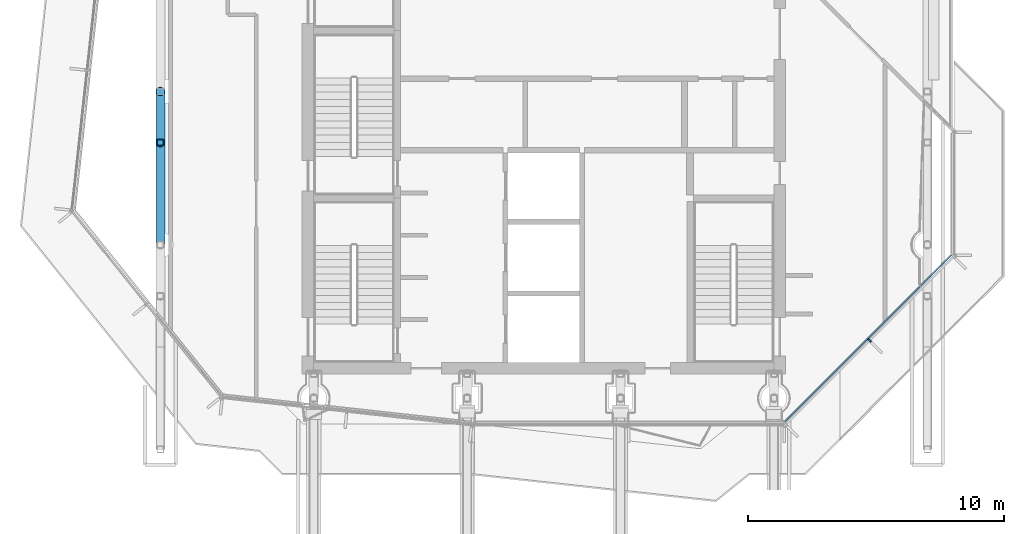
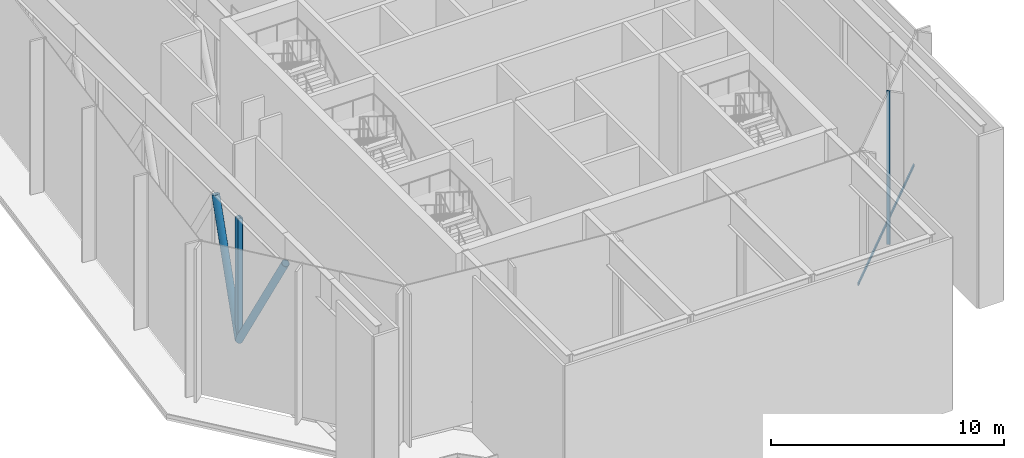
# One storey, part 2 of 21: 5 members, 1 element without a shape of its own.
"""IFC4 building model written with IfcOpenShell, lengths in metres."""

from ifc_helpers import new_model, si_unit, direction, frame, origin, origin_2d, place, context, subcontext, project, spatial, rectangle, hollow_rectangle, hollow_circle, extrude, material, layer, layer_set, material_profile, profile_set, type_object, element, aggregate, save


model = new_model("IFC4")

# Units and contexts
model_context = context("Model", 3, precision=1e-05, world=origin(), true_north=direction((0.0, 1.0)))
body_context = subcontext(model_context, "Body", "Model", "MODEL_VIEW")
ifc_project = project(units=[si_unit("LENGTHUNIT", "METRE"), si_unit("AREAUNIT", "SQUARE_METRE"), si_unit("VOLUMEUNIT", "CUBIC_METRE"), si_unit("PLANEANGLEUNIT", "RADIAN"), si_unit("MASSUNIT", "GRAM", prefix="KILO")], contexts=[model_context])

# Site, building, storey
site_placement = place(None, origin())
site = spatial("IfcSite", under=ifc_project, at=site_placement, CompositionType="ELEMENT")
building_placement = place(site_placement, origin())
building = spatial("IfcBuilding", under=site, at=building_placement, Name="Welwitschia Terrace Campus", CompositionType="ELEMENT")
storey_placement = place(building_placement, frame((0.0, 0.0, 255.800048828125)))
storey = spatial("IfcBuildingStorey", under=building, at=storey_placement, Name="L57", CompositionType="ELEMENT", Elevation=255.800048828125)

# Curtain wall, member
ifc_material_1 = material(Name="Bronze anodised aluminium", Category="aluminium")
ifc_layer = layer(ifc_material_1, 0.159912109375)
ifc_layer_set = layer_set([ifc_layer], Name="Bronze anodised aluminium")
curtain_wall_type = type_object("IfcCurtainWallType", Name="Curtain wall CW3 commons 6000", PredefinedType="NOTDEFINED", material=ifc_layer_set)
curtain_wall_placement = place(storey_placement, origin())
curtain_wall = element("IfcCurtainWall", 1, at=curtain_wall_placement, inside=storey, type_object=curtain_wall_type, Name="CW L57.0.0", PredefinedType="NOTDEFINED")
ifc_material_2 = material(Name="Bronze anodised aluminium", Category="aluminium")
ifc_material_profile_1 = material_profile(ifc_material_2, rectangle(XDim=0.159912109375, YDim=0.06005859375, at=origin_2d()))
ifc_profile_set_1 = profile_set([ifc_material_profile_1], Name="Bronze anodised aluminium")
member_type_1 = type_object("IfcMemberType", Name="Mullion 60x160", PredefinedType="MULLION", material=ifc_profile_set_1)
member_1_placement = place(storey_placement, frame((27.742431640625, 6.257568359375, 0.0), z_axis=(0.0, 0.0, 1.0), x_axis=(-0.707106781187, 0.707106781187, 0.0)))
member_1 = element("IfcMember", 2, at=member_1_placement, type_object=member_type_1, Name="Mullion L57.0.0.1", PredefinedType="MULLION", context=body_context, shape_type="SweptSolid", body=[
    extrude(rectangle(XDim=0.159912109375, YDim=0.06005859375, at=origin_2d()), origin(), (0.0, 0.0, 1.0), 8.050048828125),
])

# Members
ifc_material_3 = material(Name="Steel S355", Category="steel")
ifc_material_profile_2 = material_profile(ifc_material_3, hollow_circle(Radius=0.177734375, WallThickness=0.01611328125, at=origin_2d()))
ifc_profile_set_2 = profile_set([ifc_material_profile_2], Name="Steel S355")
member_type_2 = type_object("IfcMemberType", Name="Transfer truss C4 diagonal CHS 355.6x16", PredefinedType="BRACE", material=ifc_profile_set_2)
member_2_placement = place(storey_placement, frame((0.0, 14.0, 0.0), z_axis=(0.0, -0.527037721004, 0.849841891553), x_axis=(1.0, 0.0, 0.0)))
element("IfcMember", 3, at=member_2_placement, inside=storey, type_object=member_type_2, Name="Truss diagonal", PredefinedType="BRACE", context=body_context, shape_type="SweptSolid", body=[
    extrude(hollow_circle(Radius=0.177734375, WallThickness=0.01611328125, at=origin_2d()), origin(), (0.0, 0.0, 1.0), 7.589599609375),
])
member_3_placement = place(storey_placement, frame((0.0, 14.0, 0.0), z_axis=(0.0, 0.296168365803, 0.955135749042), x_axis=(-1.0, 0.0, 0.0)))
element("IfcMember", 4, at=member_3_placement, inside=storey, type_object=member_type_2, Name="Truss diagonal", PredefinedType="BRACE", context=body_context, shape_type="SweptSolid", body=[
    extrude(hollow_circle(Radius=0.177734375, WallThickness=0.01611328125, at=origin_2d()), origin(), (0.0, 0.0, 1.0), 6.7529296875),
])
ifc_material_4 = material(Name="Steel S355", Category="steel")
ifc_material_profile_3 = material_profile(ifc_material_4, hollow_rectangle(XDim=0.25, YDim=0.25, WallThickness=0.013916015625, InnerFilletRadius=0.013916015625, OuterFilletRadius=0.02099609375, at=origin_2d()))
ifc_profile_set_3 = profile_set([ifc_material_profile_3], Name="Steel S355")
member_type_3 = type_object("IfcMemberType", Name="Transfer truss C4 post SHS 250x250x14", PredefinedType="POST", material=ifc_profile_set_3)
member_4_placement = place(storey_placement, frame((0.0, 14.0, 0.0), z_axis=(0.0, 0.0, 1.0), x_axis=(1.0, 0.0, 0.0)))
element("IfcMember", 5, at=member_4_placement, inside=storey, type_object=member_type_3, Name="Truss post", PredefinedType="POST", context=body_context, shape_type="SweptSolid", body=[
    extrude(hollow_rectangle(XDim=0.25, YDim=0.25, WallThickness=0.013916015625, InnerFilletRadius=0.013916015625, OuterFilletRadius=0.02099609375, at=origin_2d()), origin(), (0.0, 0.0, 1.0), 6.449951171875),
])

# Member
ifc_material_5 = material(Name="Bronze anodised aluminium", Category="aluminium")
ifc_material_profile_4 = material_profile(ifc_material_5, rectangle(XDim=0.06005859375, YDim=0.14990234375, at=origin_2d()))
ifc_profile_set_4 = profile_set([ifc_material_profile_4], Name="Bronze anodised aluminium")
member_type_4 = type_object("IfcMemberType", Name="Transom 60x150", PredefinedType="USERDEFINED", material=ifc_profile_set_4)
member_5_placement = place(storey_placement, frame((24.399658203125, 3.0703125, 1.0), z_axis=(0.707106781187, 0.707106781187, 0.0), x_axis=(-0.707106781187, 0.707106781187, 0.0)))
member_5 = element("IfcMember", 6, at=member_5_placement, type_object=member_type_4, Name="Transom L57.0.0", ObjectType="TRANSOM", PredefinedType="USERDEFINED", context=body_context, shape_type="SweptSolid", body=[
    extrude(rectangle(XDim=0.06005859375, YDim=0.14990234375, at=origin_2d()), origin(), (0.0, 0.0, 1.0), 9.23486328125),
])

aggregate(curtain_wall, [member_1, member_5])

save(model, "model.ifc")
